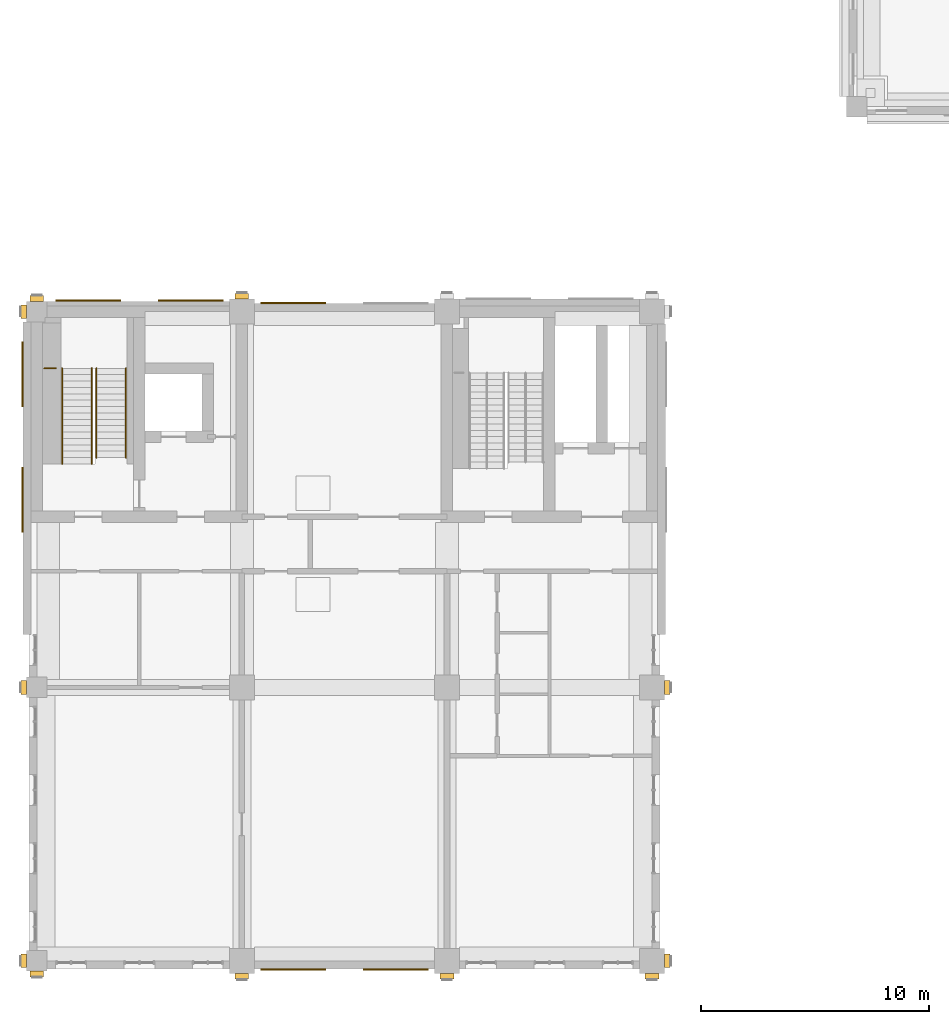
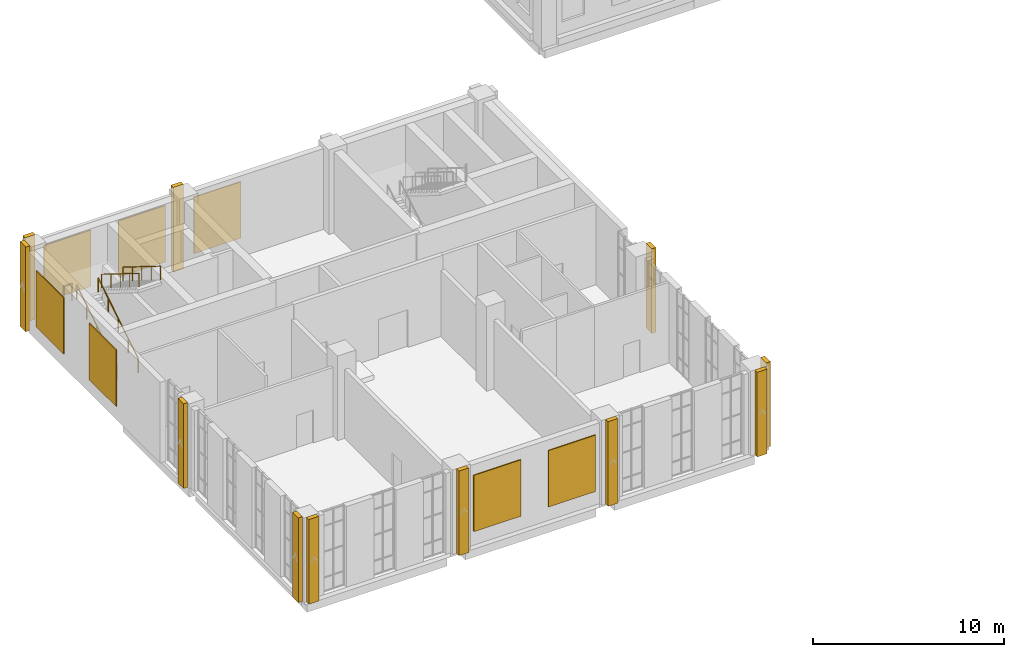
# One storey, part 19 of 22: 18 coverings, 5 railings.
"""IFC4 building model written with IfcOpenShell, lengths in metres."""

from ifc_helpers import new_model, si_unit, direction, frame, origin, origin_2d, place, context, subcontext, project, spatial, rectangle, circle, extrude, material, layer, layer_set, type_object, element, save


model = new_model("IFC4")

# Units and contexts
model_context = context("Model", 3, precision=1e-05, world=origin(), true_north=direction((0.0, 1.0)))
body_context = subcontext(model_context, "Body", "Model", "MODEL_VIEW")
ifc_project = project(units=[si_unit("LENGTHUNIT", "METRE"), si_unit("AREAUNIT", "SQUARE_METRE"), si_unit("VOLUMEUNIT", "CUBIC_METRE"), si_unit("PLANEANGLEUNIT", "RADIAN"), si_unit("MASSUNIT", "GRAM", prefix="KILO")], contexts=[model_context])

# Site, building, storey
site_placement = place(None, origin())
site = spatial("IfcSite", under=ifc_project, at=site_placement, CompositionType="ELEMENT")
building_placement = place(site_placement, origin())
building = spatial("IfcBuilding", under=site, at=building_placement, Name="Aurelan Courthouse", CompositionType="ELEMENT")
storey_placement = place(building_placement, frame((0.0, 0.0, 39.0)))
storey = spatial("IfcBuildingStorey", under=building, at=storey_placement, Name="L07", CompositionType="ELEMENT", Elevation=39.0)

# Coverings
ifc_material_1 = material(Name="Bronze sheet cladding")
ifc_layer = layer(ifc_material_1, 0.06005859375)
ifc_layer_set = layer_set([ifc_layer], Name="Bronze sheet cladding")
covering_type_1 = type_object("IfcCoveringType", Name="Courts' Floors blind bay 2850 x 3600", PredefinedType="CLADDING", material=ifc_layer_set)
for number, where, z_axis, x_axis, name in (
    (1, (11.25, -0.3798828125, 0.89990234375), (0.0, 0.0, 1.0), (1.0, 0.0, 0.0), "Blind bay BB-V5-L07-001"),
    (2, (15.75, -0.3798828125, 0.89990234375), (0.0, 0.0, 1.0), (1.0, 0.0, 0.0), "Blind bay BB-V5-L07-002"),
    (3, (2.25, 28.97998046875, 0.89990234375), (0.0, 0.0, 1.0), (1.0, 0.0, 0.0), "Blind bay BB-V5-L07-003"),
    (4, (6.75, 28.97998046875, 0.89990234375), (0.0, 0.0, 1.0), (1.0, 0.0, 0.0), "Blind bay BB-V5-L07-004"),
    (5, (11.25, 28.8798828125, 0.89990234375), (0.0, 0.0, 1.0), (1.0, 0.0, 0.0), "Blind bay BB-V5-L07-005"),
):
    element("IfcCovering", number, at=place(storey_placement, frame(where, z_axis=z_axis, x_axis=x_axis)), inside=storey, type_object=covering_type_1, Name=name, PredefinedType="CLADDING", context=body_context, shape_type="SweptSolid", body=[
        extrude(rectangle(XDim=2.85009765625, YDim=0.06005859375, at=origin_2d()), origin(), (0.0, 0.0, 1.0), 3.60009765625),
    ])
for number, where, z_axis, x_axis, name in (
    (6, (-0.6298828125, 20.25, 0.89990234375), (0.0, 0.0, 1.0), (1.0, 0.0, 0.0), "Blind bay BB-V5-L07-011"),
    (7, (-0.6298828125, 25.75, 0.89990234375), (0.0, 0.0, 1.0), (1.0, 0.0, 0.0), "Blind bay BB-V5-L07-012"),
):
    element("IfcCovering", number, at=place(storey_placement, frame(where, z_axis=z_axis, x_axis=x_axis)), inside=storey, type_object=covering_type_1, Name=name, PredefinedType="CLADDING", context=body_context, shape_type="SweptSolid", body=[
        extrude(rectangle(XDim=0.06005859375, YDim=2.85009765625, at=origin_2d()), origin(), (0.0, 0.0, 1.0), 3.60009765625),
    ])
ifc_material_2 = material(Name="Limestone cladding", Category="masonry")
covering_type_2 = type_object("IfcCoveringType", Name="Courts' Floors pilaster fin 600 x 250", PredefinedType="CLADDING", material=ifc_material_2)
for number, where, z_axis, x_axis, name in (
    (8, (0.0, -0.574951171875, 0.0), (0.0, 0.0, 1.0), (1.0, 0.0, 0.0), "Pilaster fin FN-V5-071"),
    (9, (9.0, -0.675048828125, 0.0), (0.0, 0.0, 1.0), (1.0, 0.0, 0.0), "Pilaster fin FN-V5-072"),
    (10, (18.0, -0.675048828125, 0.0), (0.0, 0.0, 1.0), (1.0, 0.0, 0.0), "Pilaster fin FN-V5-073"),
    (11, (27.0, -0.675048828125, 0.0), (0.0, 0.0, 1.0), (1.0, 0.0, 0.0), "Pilaster fin FN-V5-074"),
    (12, (0.0, 29.074951171875, 0.0), (0.0, 0.0, 1.0), (1.0, 0.0, 0.0), "Pilaster fin FN-V5-075"),
    (13, (9.0, 29.175048828125, 0.0), (0.0, 0.0, 1.0), (1.0, 0.0, 0.0), "Pilaster fin FN-V5-076"),
):
    element("IfcCovering", number, at=place(storey_placement, frame(where, z_axis=z_axis, x_axis=x_axis)), inside=storey, type_object=covering_type_2, Name=name, PredefinedType="CLADDING", context=body_context, shape_type="SweptSolid", body=[
        extrude(rectangle(XDim=0.60009765625, YDim=0.25, at=origin_2d()), origin(), (0.0, 0.0, 1.0), 5.39990234375),
    ])
for number, where, z_axis, x_axis, name in (
    (14, (27.675048828125, 0.0, 0.0), (0.0, 0.0, 1.0), (1.0, 0.0, 0.0), "Pilaster fin FN-V5-079"),
    (15, (27.675048828125, 12.0, 0.0), (0.0, 0.0, 1.0), (1.0, 0.0, 0.0), "Pilaster fin FN-V5-080"),
    (16, (-0.574951171875, 0.0, 0.0), (0.0, 0.0, 1.0), (1.0, 0.0, 0.0), "Pilaster fin FN-V5-082"),
    (17, (-0.574951171875, 12.0, 0.0), (0.0, 0.0, 1.0), (1.0, 0.0, 0.0), "Pilaster fin FN-V5-083"),
    (18, (-0.574951171875, 28.5, 0.0), (0.0, 0.0, 1.0), (1.0, 0.0, 0.0), "Pilaster fin FN-V5-084"),
):
    element("IfcCovering", number, at=place(storey_placement, frame(where, z_axis=z_axis, x_axis=x_axis)), inside=storey, type_object=covering_type_2, Name=name, PredefinedType="CLADDING", context=body_context, shape_type="SweptSolid", body=[
        extrude(rectangle(XDim=0.25, YDim=0.60009765625, at=origin_2d()), origin(), (0.0, 0.0, 1.0), 5.39990234375),
    ])

# Railings
ifc_material_3 = material(Name="Steel S355", Category="steel")
railing_type_1 = type_object("IfcRailingType", Name="Stair guard 1100", PredefinedType="GUARDRAIL", material=ifc_material_3)
railing_placement = place(storey_placement, frame((0.830078125, 26.010009765625, 2.787109375)))
element("IfcRailing", 19, at=railing_placement, inside=storey, type_object=railing_type_1, Name="Guard ST-5B-L07-GL1", PredefinedType="GUARDRAIL", context=body_context, shape_type="SweptSolid", body=[
    extrude(circle(Radius=0.02392578125, at=origin_2d()), frame((0.0, 0.0, 1.076171875), z_axis=(-1.0, 0.0, 0.0), x_axis=(0.0, -1.0, 0.0)), (0.0, 0.0, 1.0), 0.5),
    extrude(circle(Radius=0.02099609375, at=origin_2d()), origin(), (0.0, 0.0, 1.0), 1.052001953125),
    extrude(circle(Radius=0.02099609375, at=origin_2d()), frame((-0.5, 0.0, 0.0)), (0.0, 0.0, 1.0), 1.052001953125),
])
railing_type_2 = type_object("IfcRailingType", Name="Stair handrail 900", PredefinedType="HANDRAIL", material=ifc_material_3)
for number, where, name in (
    (20, (1.110107421875, 21.81005859375, 0.17431640625), "Handrail ST-5B-L07-H1"),
    (21, (2.409912109375, 21.81005859375, 0.17431640625), "Handrail ST-5B-L07-H2"),
):
    element("IfcRailing", number, at=place(storey_placement, frame(where)), inside=storey, type_object=railing_type_2, Name=name, PredefinedType="HANDRAIL", context=body_context, shape_type="SweptSolid", body=[
        extrude(circle(Radius=0.02392578125, at=origin_2d()), frame((0.0, 0.0, 0.8759765625), z_axis=(0.0, 0.849102848233, 0.528227558088), x_axis=(-1.0, 0.0, 0.0)), (0.0, 0.0, 1.0), 4.9462890625),
        extrude(circle(Radius=0.02099609375, at=origin_2d()), origin(), (0.0, 0.0, 1.0), 0.851806640625),
        extrude(circle(Radius=0.02099609375, at=origin_2d()), frame((0.0, 1.050048828125, 0.6533203125)), (0.0, 0.0, 1.0), 0.851806640625),
        extrude(circle(Radius=0.02099609375, at=origin_2d()), frame((0.0, 2.10009765625, 1.306396484375)), (0.0, 0.0, 1.0), 0.851806640625),
        extrude(circle(Radius=0.02099609375, at=origin_2d()), frame((0.0, 3.14990234375, 1.95947265625)), (0.0, 0.0, 1.0), 0.851806640625),
        extrude(circle(Radius=0.02099609375, at=origin_2d()), frame((0.0, 4.199951171875, 2.61279296875)), (0.0, 0.0, 1.0), 0.851806640625),
    ])
for number, where, name in (
    (22, (2.610107421875, 26.010009765625, 2.961181640625), "Handrail ST-5B-L07-H3"),
    (23, (3.909912109375, 26.010009765625, 2.961181640625), "Handrail ST-5B-L07-H4"),
):
    element("IfcRailing", number, at=place(storey_placement, frame(where)), inside=storey, type_object=railing_type_2, Name=name, PredefinedType="HANDRAIL", context=body_context, shape_type="SweptSolid", body=[
        extrude(circle(Radius=0.02392578125, at=origin_2d()), frame((0.0, 0.0, 0.8759765625), z_axis=(0.0, -0.849089811655, 0.528248513243), x_axis=(1.0, 0.0, 0.0)), (0.0, 0.0, 1.0), 4.61669921875),
        extrude(circle(Radius=0.02099609375, at=origin_2d()), origin(), (0.0, 0.0, 1.0), 0.851806640625),
        extrude(circle(Radius=0.02099609375, at=origin_2d()), frame((0.0, -0.97998046875, 0.609619140625)), (0.0, 0.0, 1.0), 0.851806640625),
        extrude(circle(Radius=0.02099609375, at=origin_2d()), frame((0.0, -1.9599609375, 1.21923828125)), (0.0, 0.0, 1.0), 0.851806640625),
        extrude(circle(Radius=0.02099609375, at=origin_2d()), frame((0.0, -2.93994140625, 1.8291015625)), (0.0, 0.0, 1.0), 0.851806640625),
        extrude(circle(Radius=0.02099609375, at=origin_2d()), frame((0.0, -3.919921875, 2.438720703125)), (0.0, 0.0, 1.0), 0.851806640625),
    ])

save(model, "model.ifc")
